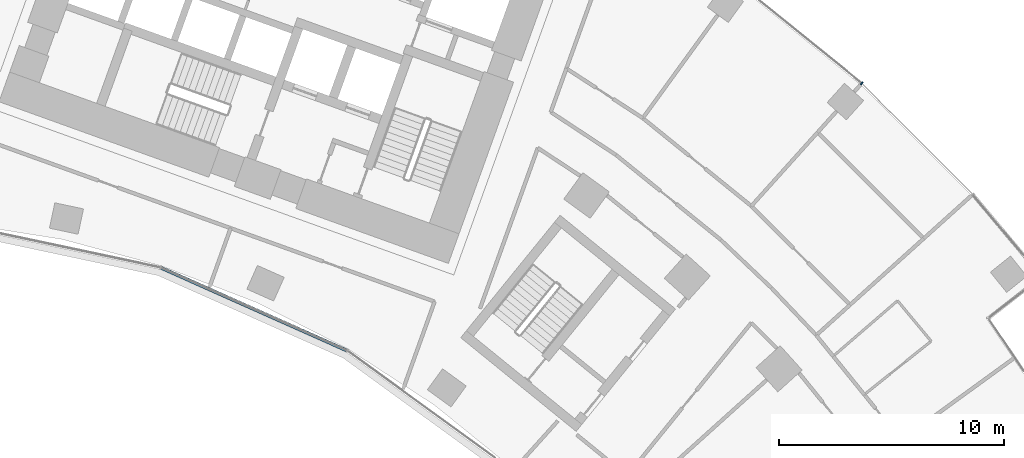
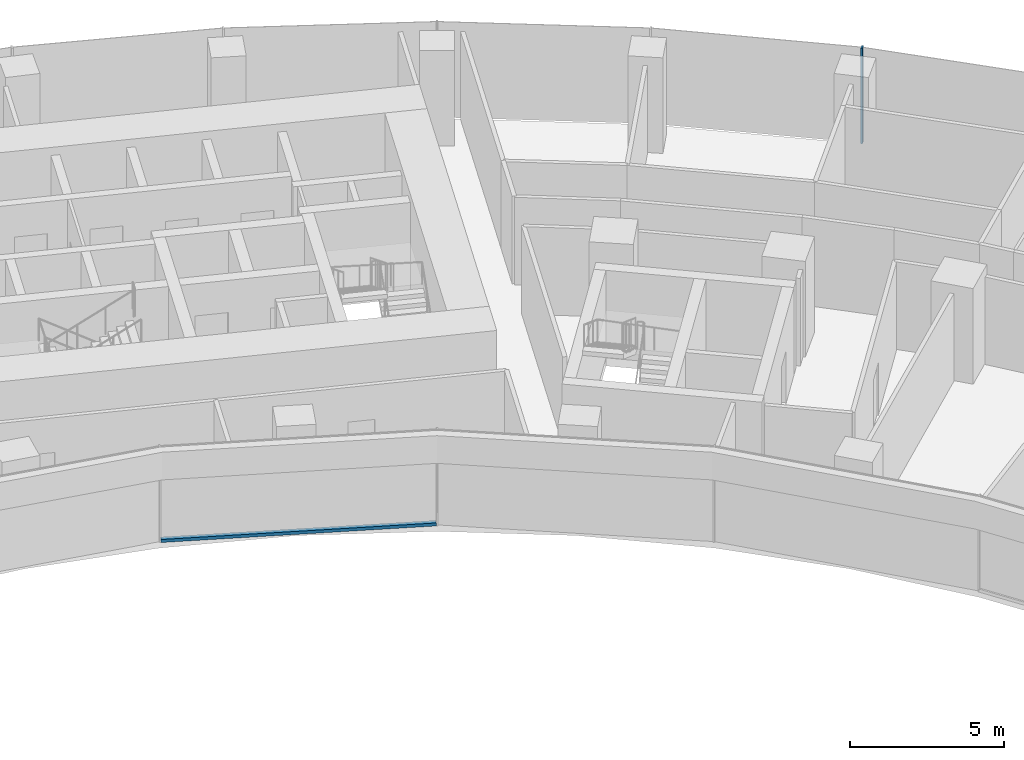
# One storey, part 8 of 20: 2 members, 2 elements without a shape of their own.
"""IFC4 building model written with IfcOpenShell, lengths in metres."""

from ifc_helpers import new_model, si_unit, direction, frame, origin, origin_2d, place, context, subcontext, project, spatial, rectangle, extrude, material, layer, layer_set, material_profile, profile_set, type_object, element, aggregate, save


model = new_model("IFC4")

# Units and contexts
model_context = context("Model", 3, precision=1e-05, world=origin(), true_north=direction((0.0, 1.0)))
body_context = subcontext(model_context, "Body", "Model", "MODEL_VIEW")
ifc_project = project(units=[si_unit("LENGTHUNIT", "METRE"), si_unit("AREAUNIT", "SQUARE_METRE"), si_unit("VOLUMEUNIT", "CUBIC_METRE"), si_unit("PLANEANGLEUNIT", "RADIAN"), si_unit("MASSUNIT", "GRAM", prefix="KILO")], contexts=[model_context])

# Site, building, storey
site_placement = place(None, origin())
site = spatial("IfcSite", under=ifc_project, at=site_placement, CompositionType="ELEMENT")
building_placement = place(site_placement, origin())
building = spatial("IfcBuilding", under=site, at=building_placement, Name="Stone Belt Terrace Tower", CompositionType="ELEMENT")
storey_placement = place(building_placement, frame((0.0, 0.0, 102.199951171875)))
storey = spatial("IfcBuildingStorey", under=building, at=storey_placement, Name="L24", CompositionType="ELEMENT", Elevation=102.199951171875)

# Curtain wall, member
ifc_material = material(Name="Aluminium 6063-T6 anodised frame", Category="aluminium")
ifc_layer_1 = layer(ifc_material, 0.14990234375)
ifc_layer_set_1 = layer_set([ifc_layer_1], Name="CW-A unitised convex-face curtain wall")
curtain_wall_type_1 = type_object("IfcCurtainWallType", Name="CW-A unitised convex-face curtain wall", PredefinedType="NOTDEFINED", material=ifc_layer_set_1)
curtain_wall_1_placement = place(storey_placement, origin())
curtain_wall_1 = element("IfcCurtainWall", 1, at=curtain_wall_1_placement, inside=storey, type_object=curtain_wall_type_1, Name="CW-A convex face L24", PredefinedType="NOTDEFINED")
ifc_material_profile_1 = material_profile(ifc_material, rectangle(XDim=0.14990234375, YDim=0.06005859375, at=origin_2d()), Name="Aluminium 6063-T6 60x150")
ifc_profile_set_1 = profile_set([ifc_material_profile_1], Name="Aluminium 6063-T6 anodised frame")
member_type_1 = type_object("IfcMemberType", Name="CW-A mullion 60 x 150", PredefinedType="MULLION", material=ifc_profile_set_1)
member_1_placement = place(storey_placement, frame((44.54736328125, 49.474853515625, 0.0), z_axis=(0.0, 0.0, 1.0), x_axis=(-0.669130606359, -0.743144825477, 0.0)))
member_1 = element("IfcMember", 2, at=member_1_placement, type_object=member_type_1, Name="CW-A mullion 3", PredefinedType="MULLION", context=body_context, shape_type="SweptSolid", body=[
    extrude(rectangle(XDim=0.14990234375, YDim=0.06005859375, at=origin_2d()), origin(), (0.0, 0.0, 1.0), 3.800048828125),
])
aggregate(curtain_wall_1, [member_1])

ifc_layer_2 = layer(ifc_material, 0.14990234375)
ifc_layer_set_2 = layer_set([ifc_layer_2], Name="CW-B unitised concave-face curtain wall")
curtain_wall_type_2 = type_object("IfcCurtainWallType", Name="CW-B unitised concave-face curtain wall", PredefinedType="NOTDEFINED", material=ifc_layer_set_2)
curtain_wall_2_placement = place(storey_placement, origin())
curtain_wall_2 = element("IfcCurtainWall", 3, at=curtain_wall_2_placement, inside=storey, type_object=curtain_wall_type_2, Name="CW-B concave face L24", PredefinedType="NOTDEFINED")
ifc_material_profile_2 = material_profile(ifc_material, rectangle(XDim=0.14990234375, YDim=0.1201171875, at=origin_2d()), Name="Aluminium 6063-T6 150x120")
ifc_profile_set_2 = profile_set([ifc_material_profile_2], Name="Aluminium 6063-T6 anodised frame")
member_type_2 = type_object("IfcMemberType", Name="CW-B transom 120 x 150", PredefinedType="USERDEFINED", material=ifc_profile_set_2)
member_2_placement = place(storey_placement, frame((13.44873046875, 41.285888671875, 0.06005859375), z_axis=(0.913548853737, -0.406729015237, 0.0), x_axis=(0.406729015237, 0.913548853737, 0.0)))
member_2 = element("IfcMember", 4, at=member_2_placement, type_object=member_type_2, Name="CW-B transom 7.1", ObjectType="TRANSOM", PredefinedType="USERDEFINED", context=body_context, shape_type="SweptSolid", body=[
    extrude(rectangle(XDim=0.14990234375, YDim=0.1201171875, at=origin_2d()), origin(), (0.0, 0.0, 1.0), 9.0126953125),
])
aggregate(curtain_wall_2, [member_2])

save(model, "model.ifc")
